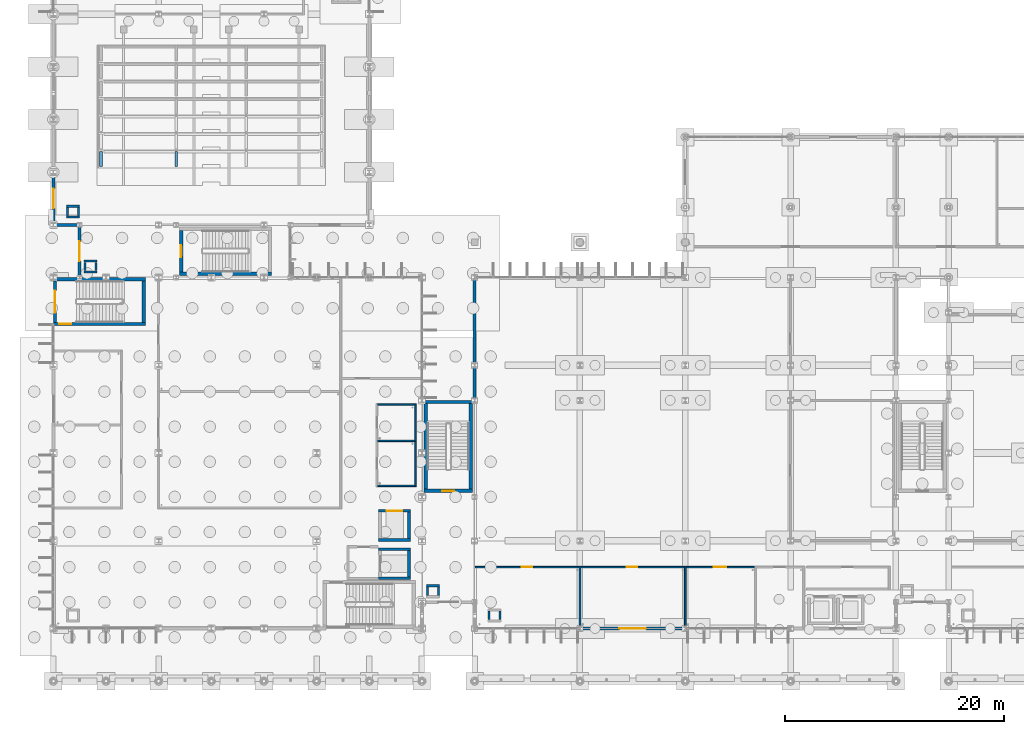
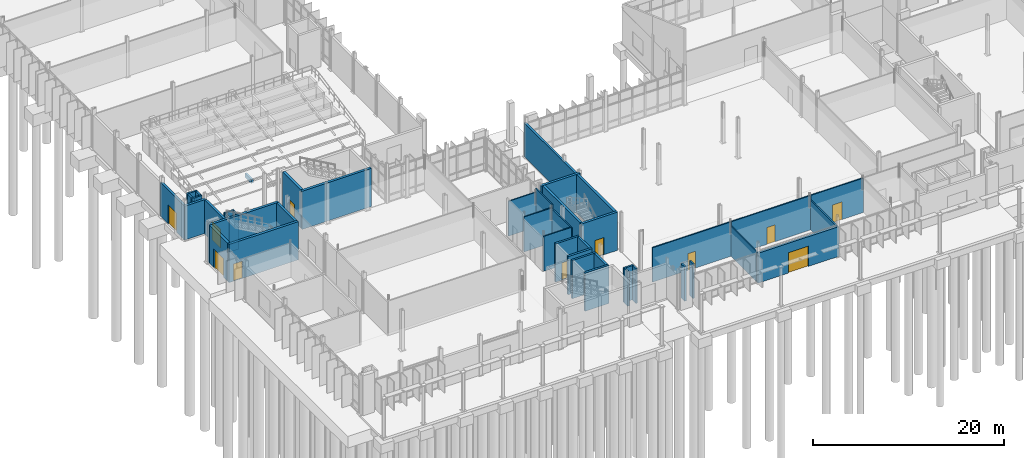
# One storey, part 59 of 111: 46 walls, 11 doors, 11 openings.
"""IFC4 building model written with IfcOpenShell, lengths in metres."""

from ifc_helpers import new_model, si_unit, direction, frame, frame_2d, origin, place, context, subcontext, project, spatial, rectangle, extrude, material, layer, layer_set, type_object, element, fill, save


model = new_model("IFC4")

# Units and contexts
model_context = context("Model", 3, precision=1e-05, world=origin(), true_north=direction((0.0, 1.0)))
body_context = subcontext(model_context, "Body", "Model", "MODEL_VIEW")
ifc_project = project(units=[si_unit("LENGTHUNIT", "METRE"), si_unit("AREAUNIT", "SQUARE_METRE"), si_unit("VOLUMEUNIT", "CUBIC_METRE"), si_unit("PLANEANGLEUNIT", "RADIAN"), si_unit("MASSUNIT", "GRAM", prefix="KILO")], contexts=[model_context])

# Site, building, storey
site_placement = place(None, origin())
site = spatial("IfcSite", under=ifc_project, at=site_placement, CompositionType="ELEMENT")
building_placement = place(site_placement, origin())
building = spatial("IfcBuilding", under=site, at=building_placement, Name="Dunescarp Central Library", CompositionType="ELEMENT")
storey_placement = place(building_placement, origin())
storey = spatial("IfcBuildingStorey", under=building, at=storey_placement, Name="L00", CompositionType="ELEMENT", Elevation=0.0)

# Wall, opening, door
ifc_material_1 = material(Name="Gypsum plasterboard acoustic partition")
ifc_layer_1 = layer(ifc_material_1, 0.14990234375)
ifc_layer_set_1 = layer_set([ifc_layer_1], Name="Gypsum plasterboard acoustic partition")
wall_type_1 = type_object("IfcWallType", Name="ARC-PT-AC150", PredefinedType="PARTITIONING", material=ifc_layer_set_1)
wall_1_placement = place(storey_placement, frame((38.43994140625, 10.39990234375, 0.0), z_axis=(0.0, 0.0, 1.0), x_axis=(1.0, 0.0, 0.0)))
wall_1 = element("IfcWall", 1, at=wall_1_placement, inside=storey, type_object=wall_type_1, Name="L00 partition PT-L00-0150", PredefinedType="PARTITIONING", context=body_context, shape_type="SweptSolid", body=[
    extrude(rectangle(XDim=9.485107421875, YDim=0.14990234375, at=frame_2d((4.74267578125, 0.0))), origin(), (0.0, 0.0, 1.0), 4.387939453125),
])
opening_1_placement = place(wall_1_placement, frame((4.26806640625, 0.0, 0.0)))
opening_1 = element("IfcOpeningElement", 2, at=opening_1_placement, cuts=wall_1, Name="Opening DR-L00-0057", PredefinedType="OPENING", context=body_context, shape_type="SweptSolid", body=[
    extrude(rectangle(XDim=0.949951171875, YDim=2.14990234375, at=frame_2d((0.47509765625, 1.074951171875))), frame((0.0, 0.0849609375, 0.0), z_axis=(0.0, -1.0, 0.0), x_axis=(1.0, 0.0, 0.0)), (0.0, 0.0, 1.0), 0.169921875),
])
ifc_material_2 = material(Name="Hardwood solid-core timber leaf", Category="wood")
door_type_1 = type_object("IfcDoorType", Name="ARC-DR-INT950", OperationType="NOTDEFINED", PredefinedType="DOOR", material=ifc_material_2)
door_1_placement = place(opening_1_placement, origin())
door_1 = element("IfcDoor", 3, at=door_1_placement, inside=storey, type_object=door_type_1, Name="L00 interior door DR-L00-0057", OperationType="SINGLE_SWING_LEFT", OverallHeight=2.14990234375, OverallWidth=0.949951171875, PredefinedType="DOOR", context=body_context, shape_type="SweptSolid", body=[
    extrude(rectangle(XDim=0.949951171875, YDim=2.14990234375, at=frame_2d((0.47509765625, 1.074951171875))), frame((0.0, 0.02490234375, 0.0), z_axis=(0.0, -1.0, 0.0), x_axis=(1.0, 0.0, 0.0)), (0.0, 0.0, 1.0), 0.050048828125),
])
fill(opening_1, door_1)

# Wall
wall_2_placement = place(storey_placement, frame((48.0, 4.840087890625, 0.0), z_axis=(0.0, 0.0, 1.0), x_axis=(0.0, 1.0, 0.0)))
element("IfcWall", 4, at=wall_2_placement, inside=storey, type_object=wall_type_1, Name="L00 partition PT-L00-0151", PredefinedType="PARTITIONING", context=body_context, shape_type="SweptSolid", body=[
    extrude(rectangle(XDim=5.635009765625, YDim=0.14990234375, at=frame_2d((2.8173828125, 0.0))), origin(), (0.0, 0.0, 1.0), 3.804931640625),
])

# Wall, opening, door
wall_3_placement = place(storey_placement, frame((48.0, 10.39990234375, 0.0), z_axis=(0.0, 0.0, 1.0), x_axis=(1.0, 0.0, 0.0)))
wall_3 = element("IfcWall", 5, at=wall_3_placement, inside=storey, type_object=wall_type_1, Name="L00 partition PT-L00-0152", PredefinedType="PARTITIONING", context=body_context, shape_type="SweptSolid", body=[
    extrude(rectangle(XDim=9.52490234375, YDim=0.14990234375, at=frame_2d((4.762451171875, 0.0))), origin(), (0.0, 0.0, 1.0), 4.387939453125),
])
opening_2_placement = place(wall_3_placement, frame((4.287109375, 0.0, 0.0)))
opening_2 = element("IfcOpeningElement", 6, at=opening_2_placement, cuts=wall_3, Name="Opening DR-L00-0058", PredefinedType="OPENING", context=body_context, shape_type="SweptSolid", body=[
    extrude(rectangle(XDim=0.949951171875, YDim=2.14990234375, at=frame_2d((0.47509765625, 1.074951171875))), frame((0.0, 0.0849609375, 0.0), z_axis=(0.0, -1.0, 0.0), x_axis=(1.0, 0.0, 0.0)), (0.0, 0.0, 1.0), 0.169921875),
])
door_2_placement = place(opening_2_placement, origin())
door_2 = element("IfcDoor", 7, at=door_2_placement, inside=storey, type_object=door_type_1, Name="L00 interior door DR-L00-0058", OperationType="SINGLE_SWING_RIGHT", OverallHeight=2.14990234375, OverallWidth=0.949951171875, PredefinedType="DOOR", context=body_context, shape_type="SweptSolid", body=[
    extrude(rectangle(XDim=0.949951171875, YDim=2.14990234375, at=frame_2d((0.47509765625, 1.074951171875))), frame((0.0, 0.02490234375, 0.0), z_axis=(0.0, -1.0, 0.0), x_axis=(1.0, 0.0, 0.0)), (0.0, 0.0, 1.0), 0.050048828125),
])
fill(opening_2, door_2)

# Wall
wall_4_placement = place(storey_placement, frame((57.60009765625, 4.840087890625, 0.0), z_axis=(0.0, 0.0, 1.0), x_axis=(0.0, 1.0, 0.0)))
element("IfcWall", 8, at=wall_4_placement, inside=storey, type_object=wall_type_1, Name="L00 partition PT-L00-0153", PredefinedType="PARTITIONING", context=body_context, shape_type="SweptSolid", body=[
    extrude(rectangle(XDim=5.635009765625, YDim=0.14990234375, at=frame_2d((2.8173828125, 0.0))), origin(), (0.0, 0.0, 1.0), 3.804931640625),
])

# Wall, opening, door
wall_5_placement = place(storey_placement, frame((57.60009765625, 10.39990234375, 0.0), z_axis=(0.0, 0.0, 1.0), x_axis=(1.0, 0.0, 0.0)))
wall_5 = element("IfcWall", 9, at=wall_5_placement, inside=storey, type_object=wall_type_1, Name="L00 partition PT-L00-0154", PredefinedType="PARTITIONING", context=body_context, shape_type="SweptSolid", body=[
    extrude(rectangle(XDim=6.324951171875, YDim=0.14990234375, at=frame_2d((3.16259765625, 0.0))), origin(), (0.0, 0.0, 1.0), 4.387939453125),
])
opening_3_placement = place(wall_5_placement, frame((2.5869140625, 0.0, 0.0)))
opening_3 = element("IfcOpeningElement", 10, at=opening_3_placement, cuts=wall_5, Name="Opening DR-L00-0059", PredefinedType="OPENING", context=body_context, shape_type="SweptSolid", body=[
    extrude(rectangle(XDim=1.14990234375, YDim=2.25, at=frame_2d((0.574951171875, 1.125))), frame((0.0, 0.0849609375, 0.0), z_axis=(0.0, -1.0, 0.0), x_axis=(1.0, 0.0, 0.0)), (0.0, 0.0, 1.0), 0.169921875),
])
door_type_2 = type_object("IfcDoorType", Name="ARC-DR-STD1150", OperationType="NOTDEFINED", PredefinedType="DOOR", material=ifc_material_2)
door_3_placement = place(opening_3_placement, origin())
door_3 = element("IfcDoor", 11, at=door_3_placement, inside=storey, type_object=door_type_2, Name="L00 interior door DR-L00-0059", OperationType="SINGLE_SWING_LEFT", OverallHeight=2.25, OverallWidth=1.14990234375, PredefinedType="DOOR", context=body_context, shape_type="SweptSolid", body=[
    extrude(rectangle(XDim=1.14990234375, YDim=2.25, at=frame_2d((0.574951171875, 1.125))), frame((0.0, 0.02490234375, 0.0), z_axis=(0.0, -1.0, 0.0), x_axis=(1.0, 0.0, 0.0)), (0.0, 0.0, 1.0), 0.050048828125),
])
fill(opening_3, door_3)

# Walls
ifc_material_3 = material(Name="Autoclaved aerated concrete block", Category="concrete")
ifc_layer_2 = layer(ifc_material_3, 0.139892578125)
ifc_layer_set_2 = layer_set([ifc_layer_2], Name="Autoclaved aerated concrete block")
wall_type_2 = type_object("IfcWallType", Name="ARC-PT-WET140", PredefinedType="PARTITIONING", material=ifc_layer_set_2)
for number, where, z_axis, x_axis, name in (
    (12, (29.570068359375, 17.800048828125, 0.0), (0.0, 0.0, 1.0), (1.0, 0.0, 0.0), "L00 partition PT-L00-0004"),
    (13, (29.570068359375, 21.89990234375, 0.0), (0.0, 0.0, 1.0), (1.0, 0.0, 0.0), "L00 partition PT-L00-0005"),
):
    element("IfcWall", number, at=place(storey_placement, frame(where, z_axis=z_axis, x_axis=x_axis)), inside=storey, type_object=wall_type_2, Name=name, PredefinedType="PARTITIONING", context=body_context, shape_type="SweptSolid", body=[
        extrude(rectangle(XDim=3.35986328125, YDim=0.139892578125, at=frame_2d((1.679931640625, 0.0))), origin(), (0.0, 0.0, 1.0), 4.455078125),
    ])
wall_6_placement = place(storey_placement, frame((33.0, 17.72998046875, 0.0), z_axis=(0.0, 0.0, 1.0), x_axis=(0.0, 1.0, 0.0)))
element("IfcWall", 14, at=wall_6_placement, inside=storey, type_object=wall_type_2, Name="L00 partition PT-L00-0007", PredefinedType="PARTITIONING", context=body_context, shape_type="SweptSolid", body=[
    extrude(rectangle(XDim=4.239990234375, YDim=0.139892578125, at=frame_2d((2.1201171875, 0.0))), origin(), (0.0, 0.0, 1.0), 4.304931640625),
])
wall_7_placement = place(storey_placement, frame((29.570068359375, 25.199951171875, 0.0), z_axis=(0.0, 0.0, 1.0), x_axis=(1.0, 0.0, 0.0)))
element("IfcWall", 15, at=wall_7_placement, inside=storey, type_object=wall_type_2, Name="L00 partition PT-L00-0008", PredefinedType="PARTITIONING", context=body_context, shape_type="SweptSolid", body=[
    extrude(rectangle(XDim=3.35986328125, YDim=0.139892578125, at=frame_2d((1.679931640625, 0.0))), origin(), (0.0, 0.0, 1.0), 4.455078125),
])
wall_8_placement = place(storey_placement, frame((33.0, 21.89990234375, 0.0), z_axis=(0.0, 0.0, 1.0), x_axis=(0.0, 1.0, 0.0)))
element("IfcWall", 16, at=wall_8_placement, inside=storey, type_object=wall_type_2, Name="L00 partition PT-L00-0010", PredefinedType="PARTITIONING", context=body_context, shape_type="SweptSolid", body=[
    extrude(rectangle(XDim=3.3701171875, YDim=0.139892578125, at=frame_2d((1.68505859375, 0.0))), origin(), (0.0, 0.0, 1.0), 4.8798828125),
])
ifc_material_4 = material(Name="Glass-fibre reinforced concrete GRC", Category="concrete")
ifc_layer_3 = layer(ifc_material_4, 0.260009765625)
ifc_layer_set_3 = layer_set([ifc_layer_3], Name="Glass-fibre reinforced concrete GRC")
wall_type_3 = type_object("IfcWallType", Name="ARC-WL-GRC260", PredefinedType="SOLIDWALL", material=ifc_layer_set_3)
wall_9_placement = place(storey_placement, frame((38.39990234375, 25.514892578125, 0.0), z_axis=(0.0, 0.0, 1.0), x_axis=(0.0, 1.0, 0.0)))
element("IfcWall", 17, at=wall_9_placement, inside=storey, type_object=wall_type_3, Name="L00 external wall EW-V2-034", PredefinedType="SOLIDWALL", context=body_context, shape_type="SweptSolid", body=[
    extrude(rectangle(XDim=11.3701171875, YDim=0.260009765625, at=frame_2d((5.68505859375, 0.0))), origin(), (0.0, 0.0, 1.0), 4.31494140625),
])

# Wall, opening, door
wall_10_placement = place(storey_placement, frame((2.39990234375, 36.715087890625, 0.0), z_axis=(0.0, 0.0, 1.0), x_axis=(0.0, 1.0, 0.0)))
wall_10 = element("IfcWall", 18, at=wall_10_placement, inside=storey, type_object=wall_type_3, Name="L00 external wall EW-GL4-W", PredefinedType="SOLIDWALL", context=body_context, shape_type="SweptSolid", body=[
    extrude(rectangle(XDim=4.969970703125, YDim=0.260009765625, at=frame_2d((2.48486328125, 0.0))), origin(), (0.0, 0.0, 1.0), 4.304931640625),
])
opening_4_placement = place(wall_10_placement, frame((1.5849609375, 0.0, 0.0)))
opening_4 = element("IfcOpeningElement", 19, at=opening_4_placement, cuts=wall_10, Name="Opening ED-06", PredefinedType="OPENING", context=body_context, shape_type="SweptSolid", body=[
    extrude(rectangle(XDim=1.800048828125, YDim=2.39990234375, at=frame_2d((0.89990234375, 1.199951171875))), frame((0.0, 0.14013671875, 0.0), z_axis=(0.0, -1.0, 0.0), x_axis=(1.0, 0.0, 0.0)), (0.0, 0.0, 1.0), 0.280029296875),
])
ifc_material_5 = material(Name="Marine-grade anodised aluminium 6063-T6", Category="aluminium")
door_type_3 = type_object("IfcDoorType", Name="ARC-DR-EXIT1800", OperationType="NOTDEFINED", PredefinedType="DOOR", material=ifc_material_5)
door_4_placement = place(opening_4_placement, origin())
door_4 = element("IfcDoor", 20, at=door_4_placement, inside=storey, type_object=door_type_3, Name="L00 external door ED-06", OperationType="SINGLE_SWING_RIGHT", OverallHeight=2.39990234375, OverallWidth=1.800048828125, PredefinedType="DOOR", context=body_context, shape_type="SweptSolid", body=[
    extrude(rectangle(XDim=1.800048828125, YDim=2.39990234375, at=frame_2d((0.89990234375, 1.199951171875))), frame((0.0, 0.02490234375, 0.0), z_axis=(0.0, -1.0, 0.0), x_axis=(1.0, 0.0, 0.0)), (0.0, 0.0, 1.0), 0.050048828125),
])
fill(opening_4, door_4)

ifc_layer_4 = layer(ifc_material_4, 0.280029296875)
ifc_layer_set_4 = layer_set([ifc_layer_4], Name="Glass-fibre reinforced concrete GRC")
wall_type_4 = type_object("IfcWallType", Name="ARC-WL-GRC280", PredefinedType="SOLIDWALL", material=ifc_layer_set_4)
wall_11_placement = place(storey_placement, frame((57.68505859375, 4.800048828125, 0.0), z_axis=(0.0, 0.0, 1.0), x_axis=(-1.0, 0.0, 0.0)))
wall_11 = element("IfcWall", 21, at=wall_11_placement, inside=storey, type_object=wall_type_4, Name="L00 external wall EW-V2-031", PredefinedType="SOLIDWALL", context=body_context, shape_type="SweptSolid", body=[
    extrude(rectangle(XDim=9.77001953125, YDim=0.280029296875, at=frame_2d((4.885009765625, 0.0))), origin(), (0.0, 0.0, 1.0), 3.804931640625),
])
opening_5_placement = place(wall_11_placement, frame((3.68505859375, 0.0, 0.0)))
opening_5 = element("IfcOpeningElement", 22, at=opening_5_placement, cuts=wall_11, Name="Opening D-ENT-02", PredefinedType="OPENING", context=body_context, shape_type="SweptSolid", body=[
    extrude(rectangle(XDim=2.39990234375, YDim=2.60009765625, at=frame_2d((1.199951171875, 1.300048828125))), frame((0.0, 0.14990234375, 0.0), z_axis=(0.0, -1.0, 0.0), x_axis=(1.0, 0.0, 0.0)), (0.0, 0.0, 1.0), 0.300048828125),
])
door_type_4 = type_object("IfcDoorType", Name="ARC-DR-ENT2400", OperationType="DOUBLE_SWING_LEFT", PredefinedType="DOOR", material=ifc_material_5)
door_5_placement = place(opening_5_placement, origin())
door_5 = element("IfcDoor", 23, at=door_5_placement, inside=storey, type_object=door_type_4, Name="L00 external door D-ENT-02", OperationType="DOUBLE_SWING_RIGHT", OverallHeight=2.60009765625, OverallWidth=2.39990234375, PredefinedType="DOOR", context=body_context, shape_type="SweptSolid", body=[
    extrude(rectangle(XDim=2.39990234375, YDim=2.60009765625, at=frame_2d((1.199951171875, 1.300048828125))), frame((0.0, 0.02490234375, 0.0), z_axis=(0.0, -1.0, 0.0), x_axis=(1.0, 0.0, 0.0)), (0.0, 0.0, 1.0), 0.050048828125),
])
fill(opening_5, door_5)

# Wall
wall_12_placement = place(storey_placement, frame((2.485107421875, 41.60009765625, 0.0), z_axis=(0.0, 0.0, 1.0), x_axis=(-1.0, 0.0, 0.0)))
element("IfcWall", 24, at=wall_12_placement, inside=storey, type_object=wall_type_4, Name="L00 external wall EW-V4-104", PredefinedType="SOLIDWALL", context=body_context, shape_type="SweptSolid", body=[
    extrude(rectangle(XDim=2.570068359375, YDim=0.280029296875, at=frame_2d((1.28515625, 0.0))), origin(), (0.0, 0.0, 1.0), 4.322021484375),
])

# Wall, opening, door
wall_13_placement = place(storey_placement, frame((0.0, 41.514892578125, 0.0), z_axis=(0.0, 0.0, 1.0), x_axis=(0.0, 1.0, 0.0)))
wall_13 = element("IfcWall", 25, at=wall_13_placement, inside=storey, type_object=wall_type_4, Name="L00 external wall EW-V4-106", PredefinedType="SOLIDWALL", context=body_context, shape_type="SweptSolid", body=[
    extrude(rectangle(XDim=4.97021484375, YDim=0.280029296875, at=frame_2d((2.485107421875, 0.0))), origin(), (0.0, 0.0, 1.0), 4.322021484375),
])
opening_6_placement = place(wall_13_placement, frame((1.5849609375, 0.0, 0.0)))
opening_6 = element("IfcOpeningElement", 26, at=opening_6_placement, cuts=wall_13, Name="Opening ED-08", PredefinedType="OPENING", context=body_context, shape_type="SweptSolid", body=[
    extrude(rectangle(XDim=1.800048828125, YDim=2.39990234375, at=frame_2d((0.89990234375, 1.199951171875))), frame((0.0, 0.14990234375, 0.0), z_axis=(0.0, -1.0, 0.0), x_axis=(1.0, 0.0, 0.0)), (0.0, 0.0, 1.0), 0.300048828125),
])
door_6_placement = place(opening_6_placement, origin())
door_6 = element("IfcDoor", 27, at=door_6_placement, inside=storey, type_object=door_type_3, Name="L00 external door ED-08", OperationType="SINGLE_SWING_RIGHT", OverallHeight=2.39990234375, OverallWidth=1.800048828125, PredefinedType="DOOR", context=body_context, shape_type="SweptSolid", body=[
    extrude(rectangle(XDim=1.800048828125, YDim=2.39990234375, at=frame_2d((0.89990234375, 1.199951171875))), frame((0.0, 0.02490234375, 0.0), z_axis=(0.0, -1.0, 0.0), x_axis=(1.0, 0.0, 0.0)), (0.0, 0.0, 1.0), 0.050048828125),
])
fill(opening_6, door_6)

# Walls
ifc_material_6 = material(Name="Concrete C35/45", Category="concrete")
ifc_layer_5 = layer(ifc_material_6, 0.199951171875)
ifc_layer_set_5 = layer_set([ifc_layer_5], Name="Concrete C35/45")
wall_type_5 = type_object("IfcWallType", Name="ARC-WL-RISER200", PredefinedType="PARTITIONING", material=ifc_layer_set_5)
for number, where, z_axis, x_axis, name in (
    (28, (39.699951171875, 5.6201171875, 0.0), (0.0, 0.0, 1.0), (0.0, 1.0, 0.0), "L00 V2 duct shaft wall W"),
    (29, (40.699951171875, 6.3798828125, 0.0), (0.0, 0.0, 1.0), (0.0, -1.0, 0.0), "L00 V2 duct shaft wall E"),
):
    element("IfcWall", number, at=place(storey_placement, frame(where, z_axis=z_axis, x_axis=x_axis)), inside=storey, type_object=wall_type_5, Name=name, PredefinedType="PARTITIONING", context=body_context, shape_type="SweptSolid", body=[
        extrude(rectangle(XDim=0.759765625, YDim=0.199951171875, at=frame_2d((0.3798828125, 0.0))), origin(), (0.0, 0.0, 1.0), 4.3798828125),
    ])
for number, where, z_axis, x_axis, name in (
    (30, (2.39990234375, 42.300048828125, 0.0), (0.0, 0.0, 1.0), (-1.0, 0.0, 0.0), "L00 V4 duct shaft wall S"),
    (31, (1.199951171875, 43.300048828125, 0.0), (0.0, 0.0, 1.0), (1.0, 0.0, 0.0), "L00 V4 duct shaft wall N"),
):
    element("IfcWall", number, at=place(storey_placement, frame(where, z_axis=z_axis, x_axis=x_axis)), inside=storey, type_object=wall_type_5, Name=name, PredefinedType="PARTITIONING", context=body_context, shape_type="SweptSolid", body=[
        extrude(rectangle(XDim=1.199951171875, YDim=0.199951171875, at=frame_2d((0.60009765625, 0.0))), origin(), (0.0, 0.0, 1.0), 4.3798828125),
    ])
for number, where, z_axis, x_axis, name in (
    (32, (1.300048828125, 42.419921875, 0.0), (0.0, 0.0, 1.0), (0.0, 1.0, 0.0), "L00 V4 duct shaft wall W"),
    (33, (2.300048828125, 43.179931640625, 0.0), (0.0, 0.0, 1.0), (0.0, -1.0, 0.0), "L00 V4 duct shaft wall E"),
):
    element("IfcWall", number, at=place(storey_placement, frame(where, z_axis=z_axis, x_axis=x_axis)), inside=storey, type_object=wall_type_5, Name=name, PredefinedType="PARTITIONING", context=body_context, shape_type="SweptSolid", body=[
        extrude(rectangle(XDim=0.760009765625, YDim=0.199951171875, at=frame_2d((0.3798828125, 0.0))), origin(), (0.0, 0.0, 1.0), 4.3798828125),
    ])
wall_14_placement = place(storey_placement, frame((34.0, 8.699951171875, 0.0), z_axis=(0.0, 0.0, 1.0), x_axis=(1.0, 0.0, 0.0)))
element("IfcWall", 34, at=wall_14_placement, inside=storey, type_object=wall_type_5, Name="L00 GL1 duct shaft wall N", PredefinedType="PARTITIONING", context=body_context, shape_type="SweptSolid", body=[
    extrude(rectangle(XDim=1.199951171875, YDim=0.199951171875, at=frame_2d((0.60009765625, 0.0))), origin(), (0.0, 0.0, 1.0), 4.3798828125),
])
for number, where, z_axis, x_axis, name in (
    (35, (34.10009765625, 7.820068359375, 0.0), (0.0, 0.0, 1.0), (0.0, 1.0, 0.0), "L00 GL1 duct shaft wall W"),
    (36, (35.10009765625, 8.580078125, 0.0), (0.0, 0.0, 1.0), (0.0, -1.0, 0.0), "L00 GL1 duct shaft wall E"),
):
    element("IfcWall", number, at=place(storey_placement, frame(where, z_axis=z_axis, x_axis=x_axis)), inside=storey, type_object=wall_type_5, Name=name, PredefinedType="PARTITIONING", context=body_context, shape_type="SweptSolid", body=[
        extrude(rectangle(XDim=0.760009765625, YDim=0.199951171875, at=frame_2d((0.3798828125, 0.0))), origin(), (0.0, 0.0, 1.0), 4.3798828125),
    ])
for number, where, z_axis, x_axis, name in (
    (37, (4.0, 37.300048828125, 0.0), (0.0, 0.0, 1.0), (-1.0, 0.0, 0.0), "L00 GL4 duct shaft wall S"),
    (38, (2.800048828125, 38.300048828125, 0.0), (0.0, 0.0, 1.0), (1.0, 0.0, 0.0), "L00 GL4 duct shaft wall N"),
):
    element("IfcWall", number, at=place(storey_placement, frame(where, z_axis=z_axis, x_axis=x_axis)), inside=storey, type_object=wall_type_5, Name=name, PredefinedType="PARTITIONING", context=body_context, shape_type="SweptSolid", body=[
        extrude(rectangle(XDim=1.199951171875, YDim=0.199951171875, at=frame_2d((0.60009765625, 0.0))), origin(), (0.0, 0.0, 1.0), 4.3798828125),
    ])
for number, where, z_axis, x_axis, name in (
    (39, (2.89990234375, 37.419921875, 0.0), (0.0, 0.0, 1.0), (0.0, 1.0, 0.0), "L00 GL4 duct shaft wall W"),
    (40, (3.89990234375, 38.179931640625, 0.0), (0.0, 0.0, 1.0), (0.0, -1.0, 0.0), "L00 GL4 duct shaft wall E"),
):
    element("IfcWall", number, at=place(storey_placement, frame(where, z_axis=z_axis, x_axis=x_axis)), inside=storey, type_object=wall_type_5, Name=name, PredefinedType="PARTITIONING", context=body_context, shape_type="SweptSolid", body=[
        extrude(rectangle(XDim=0.760009765625, YDim=0.199951171875, at=frame_2d((0.3798828125, 0.0))), origin(), (0.0, 0.0, 1.0), 4.3798828125),
    ])
ifc_material_7 = material(Name="Concrete C40/50", Category="concrete")
ifc_layer_6 = layer(ifc_material_7, 0.25)
ifc_layer_set_6 = layer_set([ifc_layer_6], Name="Concrete C40/50")
wall_type_6 = type_object("IfcWallType", Name="STR-WL-CORE250", PredefinedType="SHEAR", material=ifc_layer_set_6)
for number, where, z_axis, x_axis, name in (
    (41, (32.550048828125, 9.375, 0.0), (0.0, 0.0, 1.0), (-1.0, 0.0, 0.0), "L00 FFL-1 lift shaft wall S"),
    (42, (29.64990234375, 12.02490234375, 0.0), (0.0, 0.0, 1.0), (1.0, 0.0, 0.0), "L00 FFL-1 lift shaft wall N"),
):
    element("IfcWall", number, at=place(storey_placement, frame(where, z_axis=z_axis, x_axis=x_axis)), inside=storey, type_object=wall_type_6, Name=name, PredefinedType="SHEAR", context=body_context, shape_type="SweptSolid", body=[
        extrude(rectangle(XDim=2.900146484375, YDim=0.25, at=frame_2d((1.4501953125, 0.0))), origin(), (0.0, 0.0, 1.0), 4.8798828125),
    ])
wall_15_placement = place(storey_placement, frame((32.425048828125, 11.89990234375, 0.0), z_axis=(0.0, 0.0, 1.0), x_axis=(0.0, -1.0, 0.0)))
element("IfcWall", 43, at=wall_15_placement, inside=storey, type_object=wall_type_6, Name="L00 FFL-1 lift shaft wall E", PredefinedType="SHEAR", context=body_context, shape_type="SweptSolid", body=[
    extrude(rectangle(XDim=2.39990234375, YDim=0.25, at=frame_2d((1.199951171875, 0.0))), origin(), (0.0, 0.0, 1.0), 4.8798828125),
])
wall_16_placement = place(storey_placement, frame((32.550048828125, 12.875, 0.0), z_axis=(0.0, 0.0, 1.0), x_axis=(-1.0, 0.0, 0.0)))
element("IfcWall", 44, at=wall_16_placement, inside=storey, type_object=wall_type_6, Name="L00 SL-1 lift shaft wall S", PredefinedType="SHEAR", context=body_context, shape_type="SweptSolid", body=[
    extrude(rectangle(XDim=2.900146484375, YDim=0.25, at=frame_2d((1.4501953125, 0.0))), origin(), (0.0, 0.0, 1.0), 4.8798828125),
])

# Wall, opening, door
wall_17_placement = place(storey_placement, frame((29.64990234375, 15.52490234375, 0.0), z_axis=(0.0, 0.0, 1.0), x_axis=(1.0, 0.0, 0.0)))
wall_17 = element("IfcWall", 45, at=wall_17_placement, inside=storey, type_object=wall_type_6, Name="L00 SL-1 lift shaft wall N", PredefinedType="SHEAR", context=body_context, shape_type="SweptSolid", body=[
    extrude(rectangle(XDim=2.900146484375, YDim=0.25, at=frame_2d((1.4501953125, 0.0))), origin(), (0.0, 0.0, 1.0), 4.8798828125),
])
opening_7_placement = place(wall_17_placement, frame((0.75, 0.0, 0.0)))
opening_7 = element("IfcOpeningElement", 46, at=opening_7_placement, cuts=wall_17, Name="Opening LD-SL-1-L00", PredefinedType="OPENING", context=body_context, shape_type="SweptSolid", body=[
    extrude(rectangle(XDim=1.39990234375, YDim=2.199951171875, at=frame_2d((0.699951171875, 1.10009765625))), frame((0.0, 0.135009765625, 0.0), z_axis=(0.0, -1.0, 0.0), x_axis=(1.0, 0.0, 0.0)), (0.0, 0.0, 1.0), 0.27001953125),
])
ifc_material_8 = material(Name="Stainless steel Grade 316L", Category="steel")
door_type_5 = type_object("IfcDoorType", Name="ARC-DR-LD1400", OperationType="DOUBLE_DOOR_SLIDING", PredefinedType="DOOR", material=ifc_material_8)
door_7_placement = place(opening_7_placement, origin())
door_7 = element("IfcDoor", 47, at=door_7_placement, inside=storey, type_object=door_type_5, Name="L00 SL-1 lift landing door", OperationType="DOUBLE_DOOR_SLIDING", OverallHeight=2.199951171875, OverallWidth=1.39990234375, PredefinedType="DOOR", context=body_context, shape_type="SweptSolid", body=[
    extrude(rectangle(XDim=1.39990234375, YDim=2.199951171875, at=frame_2d((0.699951171875, 1.10009765625))), frame((0.0, 0.02490234375, 0.0), z_axis=(0.0, -1.0, 0.0), x_axis=(1.0, 0.0, 0.0)), (0.0, 0.0, 1.0), 0.050048828125),
])
fill(opening_7, door_7)

# Wall
wall_18_placement = place(storey_placement, frame((32.425048828125, 15.39990234375, 0.0), z_axis=(0.0, 0.0, 1.0), x_axis=(0.0, -1.0, 0.0)))
element("IfcWall", 48, at=wall_18_placement, inside=storey, type_object=wall_type_6, Name="L00 SL-1 lift shaft wall E", PredefinedType="SHEAR", context=body_context, shape_type="SweptSolid", body=[
    extrude(rectangle(XDim=2.39990234375, YDim=0.25, at=frame_2d((1.199951171875, 0.0))), origin(), (0.0, 0.0, 1.0), 4.8798828125),
])

# Wall, opening, door
ifc_layer_7 = layer(ifc_material_7, 0.300048828125)
ifc_layer_set_7 = layer_set([ifc_layer_7], Name="Concrete C40/50")
wall_type_7 = type_object("IfcWallType", Name="STR-WL-CORE300", PredefinedType="SHEAR", material=ifc_layer_set_7)
wall_19_placement = place(storey_placement, frame((8.39990234375, 32.550048828125, 0.0), z_axis=(0.0, 0.0, 1.0), x_axis=(-1.0, 0.0, 0.0)))
wall_19 = element("IfcWall", 49, at=wall_19_placement, inside=storey, type_object=wall_type_7, Name="L00 ST-6 south core wall", PredefinedType="SHEAR", context=body_context, shape_type="SweptSolid", body=[
    extrude(rectangle(XDim=8.39990234375, YDim=0.300048828125, at=frame_2d((4.199951171875, 0.0))), origin(), (0.0, 0.0, 1.0), 4.8798828125),
])
opening_8_placement = place(wall_19_placement, frame((6.75, 0.0, 0.0)))
opening_8 = element("IfcOpeningElement", 50, at=opening_8_placement, cuts=wall_19, Name="Opening D-ST-6-L00", PredefinedType="OPENING", context=body_context, shape_type="SweptSolid", body=[
    extrude(rectangle(XDim=1.10009765625, YDim=2.199951171875, at=frame_2d((0.550048828125, 1.10009765625))), frame((0.0, 0.16015625, 0.0), z_axis=(0.0, -1.0, 0.0), x_axis=(1.0, 0.0, 0.0)), (0.0, 0.0, 1.0), 0.320068359375),
])
ifc_material_9 = material(Name="Galvanised steel FD120S", Category="steel")
door_type_6 = type_object("IfcDoorType", Name="ARC-DR-STAIR", OperationType="NOTDEFINED", PredefinedType="DOOR", material=ifc_material_9)
door_8_placement = place(opening_8_placement, origin())
door_8 = element("IfcDoor", 51, at=door_8_placement, inside=storey, type_object=door_type_6, Name="L00 ST-6 fire stair door", OperationType="SINGLE_SWING_LEFT", OverallHeight=2.199951171875, OverallWidth=1.10009765625, PredefinedType="DOOR", context=body_context, shape_type="SweptSolid", body=[
    extrude(rectangle(XDim=1.10009765625, YDim=2.199951171875, at=frame_2d((0.550048828125, 1.10009765625))), frame((0.0, 0.02490234375, 0.0), z_axis=(0.0, -1.0, 0.0), x_axis=(1.0, 0.0, 0.0)), (0.0, 0.0, 1.0), 0.050048828125),
])
fill(opening_8, door_8)

# Wall
wall_20_placement = place(storey_placement, frame((0.0, 36.64990234375, 0.0), z_axis=(0.0, 0.0, 1.0), x_axis=(1.0, 0.0, 0.0)))
element("IfcWall", 52, at=wall_20_placement, inside=storey, type_object=wall_type_7, Name="L00 ST-6 north core wall", PredefinedType="SHEAR", context=body_context, shape_type="SweptSolid", body=[
    extrude(rectangle(XDim=8.39990234375, YDim=0.300048828125, at=frame_2d((4.199951171875, 0.0))), origin(), (0.0, 0.0, 1.0), 4.8798828125),
])

# Wall, opening, door
wall_21_placement = place(storey_placement, frame((0.14990234375, 32.699951171875, 0.0), z_axis=(0.0, 0.0, 1.0), x_axis=(0.0, 1.0, 0.0)))
wall_21 = element("IfcWall", 53, at=wall_21_placement, inside=storey, type_object=wall_type_7, Name="L00 ST-6 west core wall", PredefinedType="SHEAR", context=body_context, shape_type="SweptSolid", body=[
    extrude(rectangle(XDim=3.800048828125, YDim=0.300048828125, at=frame_2d((1.89990234375, 0.0))), origin(), (0.0, 0.0, 1.0), 4.8798828125),
])
opening_9_placement = place(wall_21_placement, frame((0.89990234375, 0.0, 0.0)))
opening_9 = element("IfcOpeningElement", 54, at=opening_9_placement, cuts=wall_21, Name="Opening ED-02", PredefinedType="OPENING", context=body_context, shape_type="SweptSolid", body=[
    extrude(rectangle(XDim=2.0, YDim=2.39990234375, at=frame_2d((1.0, 1.199951171875))), frame((0.0, 0.16015625, 0.0), z_axis=(0.0, -1.0, 0.0), x_axis=(1.0, 0.0, 0.0)), (0.0, 0.0, 1.0), 0.320068359375),
])
door_type_7 = type_object("IfcDoorType", Name="ARC-DR-EXIT2000", OperationType="NOTDEFINED", PredefinedType="DOOR", material=ifc_material_5)
door_9_placement = place(opening_9_placement, origin())
door_9 = element("IfcDoor", 55, at=door_9_placement, inside=storey, type_object=door_type_7, Name="Ground fire exit door ED-02", OperationType="SINGLE_SWING_RIGHT", OverallHeight=2.39990234375, OverallWidth=2.0, PredefinedType="DOOR", context=body_context, shape_type="SweptSolid", body=[
    extrude(rectangle(XDim=2.0, YDim=2.39990234375, at=frame_2d((1.0, 1.199951171875))), frame((0.0, 0.02490234375, 0.0), z_axis=(0.0, -1.0, 0.0), x_axis=(1.0, 0.0, 0.0)), (0.0, 0.0, 1.0), 0.050048828125),
])
fill(opening_9, door_9)

# Wall
wall_22_placement = place(storey_placement, frame((8.25, 36.5, 0.0), z_axis=(0.0, 0.0, 1.0), x_axis=(0.0, -1.0, 0.0)))
element("IfcWall", 56, at=wall_22_placement, inside=storey, type_object=wall_type_7, Name="L00 ST-6 east core wall", PredefinedType="SHEAR", context=body_context, shape_type="SweptSolid", body=[
    extrude(rectangle(XDim=3.800048828125, YDim=0.300048828125, at=frame_2d((1.89990234375, 0.0))), origin(), (0.0, 0.0, 1.0), 4.8798828125),
])

# Wall, opening, door
wall_23_placement = place(storey_placement, frame((38.199951171875, 17.35009765625, 0.0), z_axis=(0.0, 0.0, 1.0), x_axis=(-1.0, 0.0, 0.0)))
wall_23 = element("IfcWall", 57, at=wall_23_placement, inside=storey, type_object=wall_type_7, Name="L00 ST-2 south core wall", PredefinedType="SHEAR", context=body_context, shape_type="SweptSolid", body=[
    extrude(rectangle(XDim=4.39990234375, YDim=0.300048828125, at=frame_2d((2.199951171875, 0.0))), origin(), (0.0, 0.0, 1.0), 4.8798828125),
])
opening_10_placement = place(wall_23_placement, frame((1.64990234375, 0.0, 0.0)))
opening_10 = element("IfcOpeningElement", 58, at=opening_10_placement, cuts=wall_23, Name="Opening D-ST-2-L00", PredefinedType="OPENING", context=body_context, shape_type="SweptSolid", body=[
    extrude(rectangle(XDim=1.10009765625, YDim=2.199951171875, at=frame_2d((0.550048828125, 1.10009765625))), frame((0.0, 0.16015625, 0.0), z_axis=(0.0, -1.0, 0.0), x_axis=(1.0, 0.0, 0.0)), (0.0, 0.0, 1.0), 0.320068359375),
])
door_10_placement = place(opening_10_placement, origin())
door_10 = element("IfcDoor", 59, at=door_10_placement, inside=storey, type_object=door_type_6, Name="L00 ST-2 fire stair door", OperationType="SINGLE_SWING_RIGHT", OverallHeight=2.199951171875, OverallWidth=1.10009765625, PredefinedType="DOOR", context=body_context, shape_type="SweptSolid", body=[
    extrude(rectangle(XDim=1.10009765625, YDim=2.199951171875, at=frame_2d((0.550048828125, 1.10009765625))), frame((0.0, 0.02490234375, 0.0), z_axis=(0.0, -1.0, 0.0), x_axis=(1.0, 0.0, 0.0)), (0.0, 0.0, 1.0), 0.050048828125),
])
fill(opening_10, door_10)

# Walls
wall_24_placement = place(storey_placement, frame((33.6201171875, 25.449951171875, 0.0), z_axis=(0.0, 0.0, 1.0), x_axis=(1.0, 0.0, 0.0)))
element("IfcWall", 60, at=wall_24_placement, inside=storey, type_object=wall_type_7, Name="L00 ST-2 north core wall", PredefinedType="SHEAR", context=body_context, shape_type="SweptSolid", body=[
    extrude(rectangle(XDim=4.759765625, YDim=0.300048828125, at=frame_2d((2.3798828125, 0.0))), origin(), (0.0, 0.0, 1.0), 4.8798828125),
])
for number, where, z_axis, x_axis, name in (
    (61, (33.949951171875, 17.5, 0.0), (0.0, 0.0, 1.0), (0.0, 1.0, 0.0), "L00 ST-2 west core wall"),
    (62, (38.050048828125, 25.300048828125, 0.0), (0.0, 0.0, 1.0), (0.0, -1.0, 0.0), "L00 ST-2 east core wall"),
):
    element("IfcWall", number, at=place(storey_placement, frame(where, z_axis=z_axis, x_axis=x_axis)), inside=storey, type_object=wall_type_7, Name=name, PredefinedType="SHEAR", context=body_context, shape_type="SweptSolid", body=[
        extrude(rectangle(XDim=7.800048828125, YDim=0.300048828125, at=frame_2d((3.89990234375, 0.0))), origin(), (0.0, 0.0, 1.0), 4.8798828125),
    ])
wall_25_placement = place(storey_placement, frame((19.89990234375, 37.14990234375, 0.0), z_axis=(0.0, 0.0, 1.0), x_axis=(-1.0, 0.0, 0.0)))
element("IfcWall", 63, at=wall_25_placement, inside=storey, type_object=wall_type_7, Name="L00 ST-4 south core wall", PredefinedType="SHEAR", context=body_context, shape_type="SweptSolid", body=[
    extrude(rectangle(XDim=8.39990234375, YDim=0.300048828125, at=frame_2d((4.199951171875, 0.0))), origin(), (0.0, 0.0, 1.0), 4.8798828125),
])

# Wall, opening, door
wall_26_placement = place(storey_placement, frame((11.64990234375, 37.300048828125, 0.0), z_axis=(0.0, 0.0, 1.0), x_axis=(0.0, 1.0, 0.0)))
wall_26 = element("IfcWall", 64, at=wall_26_placement, inside=storey, type_object=wall_type_7, Name="L00 ST-4 west core wall", PredefinedType="SHEAR", context=body_context, shape_type="SweptSolid", body=[
    extrude(rectangle(XDim=3.800048828125, YDim=0.300048828125, at=frame_2d((1.89990234375, 0.0))), origin(), (0.0, 0.0, 1.0), 4.8798828125),
])
opening_11_placement = place(wall_26_placement, frame((1.35009765625, 0.0, 0.0)))
opening_11 = element("IfcOpeningElement", 65, at=opening_11_placement, cuts=wall_26, Name="Opening D-ST-4-L00", PredefinedType="OPENING", context=body_context, shape_type="SweptSolid", body=[
    extrude(rectangle(XDim=1.10009765625, YDim=2.199951171875, at=frame_2d((0.550048828125, 1.10009765625))), frame((0.0, 0.16015625, 0.0), z_axis=(0.0, -1.0, 0.0), x_axis=(1.0, 0.0, 0.0)), (0.0, 0.0, 1.0), 0.320068359375),
])
door_11_placement = place(opening_11_placement, origin())
door_11 = element("IfcDoor", 66, at=door_11_placement, inside=storey, type_object=door_type_6, Name="L00 ST-4 fire stair door", OperationType="SINGLE_SWING_LEFT", OverallHeight=2.199951171875, OverallWidth=1.10009765625, PredefinedType="DOOR", context=body_context, shape_type="SweptSolid", body=[
    extrude(rectangle(XDim=1.10009765625, YDim=2.199951171875, at=frame_2d((0.550048828125, 1.10009765625))), frame((0.0, 0.02490234375, 0.0), z_axis=(0.0, -1.0, 0.0), x_axis=(1.0, 0.0, 0.0)), (0.0, 0.0, 1.0), 0.050048828125),
])
fill(opening_11, door_11)

# Walls
ifc_layer_8 = layer(ifc_material_7, 0.239990234375)
ifc_layer_set_8 = layer_set([ifc_layer_8], Name="Concrete C40/50")
wall_type_8 = type_object("IfcWallType", Name="STR-WL-RAKER240", PredefinedType="SHEAR", material=ifc_layer_set_8)
for number, where, z_axis, x_axis, name in (
    (67, (4.35009765625, 46.919921875, 0.0), (0.0, 0.0, 1.0), (0.0, 1.0, 0.0), "Auditorium tier raker wall SW-TIER-001"),
    (68, (11.199951171875, 46.919921875, 0.0), (0.0, 0.0, 1.0), (0.0, 1.0, 0.0), "Auditorium tier raker wall SW-TIER-002"),
):
    element("IfcWall", number, at=place(storey_placement, frame(where, z_axis=z_axis, x_axis=x_axis)), inside=storey, type_object=wall_type_8, Name=name, PredefinedType="SHEAR", context=body_context, shape_type="SweptSolid", body=[
        extrude(rectangle(XDim=1.360107421875, YDim=0.239990234375, at=frame_2d((0.68017578125, 0.0))), origin(), (0.0, 0.0, 1.0), 0.489990234375),
    ])

save(model, "model.ifc")
